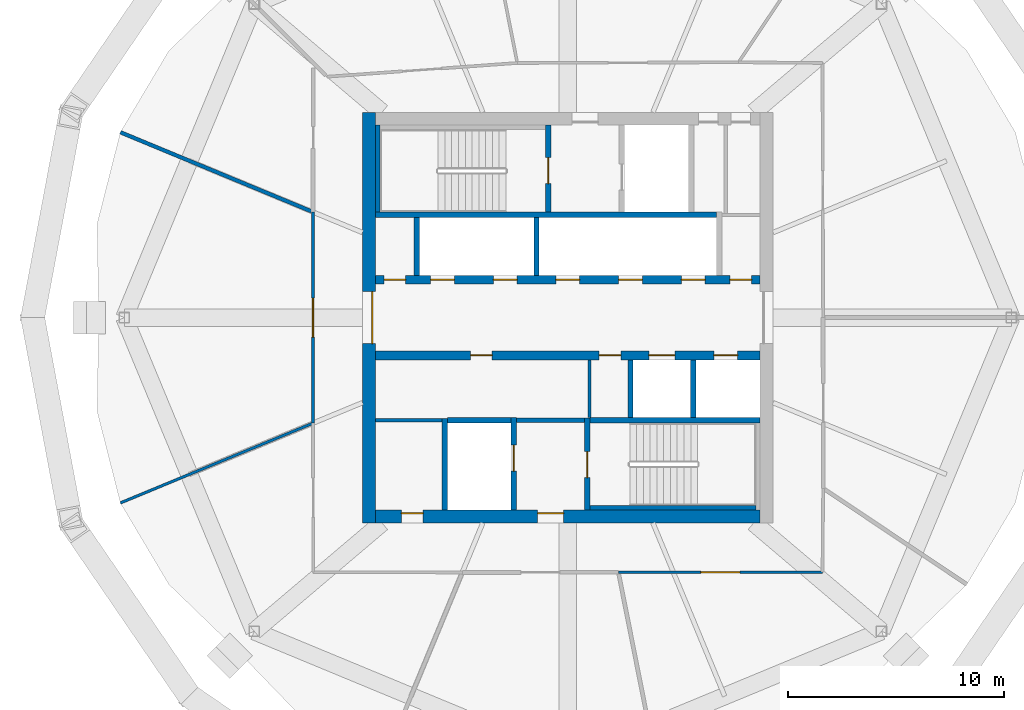
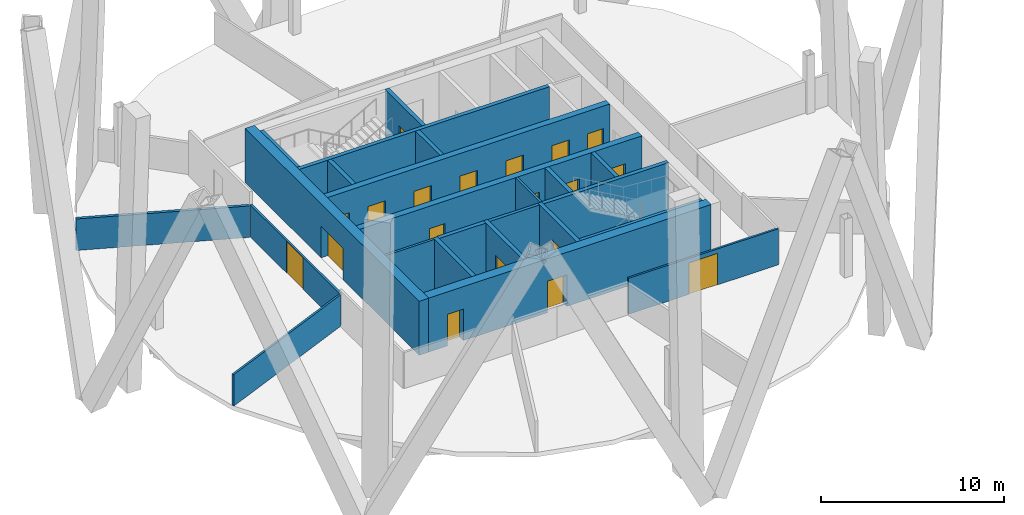
# One storey, part 4 of 10: 24 walls, 19 doors, 19 openings.
"""IFC4 building model written with IfcOpenShell, lengths in metres."""

from ifc_helpers import new_model, si_unit, direction, frame, frame_2d, origin, place, context, subcontext, project, spatial, rectangle, extrude, material, layer, layer_set, type_object, element, fill, save


model = new_model("IFC4")

# Units and contexts
model_context = context("Model", 3, precision=1e-05, world=origin(), true_north=direction((0.0, 1.0)))
body_context = subcontext(model_context, "Body", "Model", "MODEL_VIEW")
ifc_project = project(units=[si_unit("LENGTHUNIT", "METRE"), si_unit("AREAUNIT", "SQUARE_METRE"), si_unit("VOLUMEUNIT", "CUBIC_METRE"), si_unit("PLANEANGLEUNIT", "RADIAN"), si_unit("MASSUNIT", "GRAM", prefix="KILO")], contexts=[model_context])

# Site, building, storey
site_placement = place(None, origin())
site = spatial("IfcSite", under=ifc_project, at=site_placement, CompositionType="ELEMENT")
building_placement = place(site_placement, origin())
building = spatial("IfcBuilding", under=site, at=building_placement, Name="Ogive Gate Towers", CompositionType="ELEMENT")
storey_placement = place(building_placement, frame((0.0, 0.0, 185.10009765625)))
storey = spatial("IfcBuildingStorey", under=building, at=storey_placement, Name="L44", CompositionType="ELEMENT", Elevation=185.10009765625)

# Walls
ifc_material_1 = material(Name="Gypsum board acoustic partition")
ifc_layer_1 = layer(ifc_material_1, 0.175048828125)
ifc_layer_set_1 = layer_set([ifc_layer_1], Name="Acoustic partition 175")
wall_type_1 = type_object("IfcWallType", Name="Acoustic partition 175", PredefinedType="PARTITIONING", material=ifc_layer_set_1)
wall_1_placement = place(storey_placement, frame((-56.7041015625, 8.575927734375, 0.0), z_axis=(0.0, 0.0, 1.0), x_axis=(0.923880210616, -0.382681795271, 0.0)))
element("IfcWall", 1, at=wall_1_placement, inside=storey, type_object=wall_type_1, Name="Partition T1-L44-005", PredefinedType="PARTITIONING", context=body_context, shape_type="SweptSolid", body=[
    extrude(rectangle(XDim=9.561279296875, YDim=0.175048828125, at=frame_2d((4.78076171875, 0.0))), origin(), (0.0, 0.0, 1.0), 2.099853515625),
])
ifc_material_2 = material(Name="Masonry blockwork", Category="masonry")
ifc_layer_2 = layer(ifc_material_2, 0.199951171875)
ifc_layer_set_2 = layer_set([ifc_layer_2], Name="Blockwork wall 200 mm")
wall_type_2 = type_object("IfcWallType", Name="Blockwork wall 200 mm", PredefinedType="PARTITIONING", material=ifc_layer_set_2)
wall_2_placement = place(storey_placement, frame((-38.375, -4.75, 0.0), z_axis=(0.0, 0.0, 1.0), x_axis=(1.0, 0.0, 0.0)))
element("IfcWall", 2, at=wall_2_placement, inside=storey, type_object=wall_type_2, Name="T1 L44 Blockwork wall 200 mm", PredefinedType="PARTITIONING", context=body_context, shape_type="SweptSolid", body=[
    extrude(rectangle(XDim=3.14990234375, YDim=0.199951171875, at=frame_2d((1.574951171875, 0.0))), origin(), (0.0, 0.0, 1.0), 3.599853515625),
])

# Wall, openings, doors
ifc_material_3 = material(Name="Concrete C60/75", Category="concrete")
ifc_layer_3 = layer(ifc_material_3, 0.60009765625)
ifc_layer_set_3 = layer_set([ifc_layer_3], Name="Core wall 600 mm")
wall_type_3 = type_object("IfcWallType", Name="Core wall 600 mm", PredefinedType="SHEAR", material=ifc_layer_set_3)
wall_3_placement = place(storey_placement, frame((-44.89990234375, -9.199951171875, 0.0), z_axis=(0.0, 0.0, 1.0), x_axis=(1.0, 0.0, 0.0)))
wall_3 = element("IfcWall", 3, at=wall_3_placement, inside=storey, type_object=wall_type_3, Name="T1 L44 Core wall 600 mm", PredefinedType="SHEAR", context=body_context, shape_type="SweptSolid", body=[
    extrude(rectangle(XDim=17.7998046875, YDim=0.60009765625, at=frame_2d((8.89990234375, 0.0))), origin(), (0.0, 0.0, 1.0), 3.599853515625),
])
opening_1_placement = place(wall_3_placement, frame((7.5, 0.0, 0.0)))
opening_1 = element("IfcOpeningElement", 4, at=opening_1_placement, cuts=wall_3, Name="Opening KD-T1-L44-19", PredefinedType="OPENING", context=body_context, shape_type="SweptSolid", body=[
    extrude(rectangle(XDim=1.199951171875, YDim=2.10009765625, at=frame_2d((0.60009765625, 1.050048828125))), frame((0.0, 0.31005859375, 0.0), z_axis=(0.0, -1.0, 0.0), x_axis=(1.0, 0.0, 0.0)), (0.0, 0.0, 1.0), 0.6201171875),
])
opening_2_placement = place(wall_3_placement, frame((1.199951171875, 0.0, 0.0)))
opening_2 = element("IfcOpeningElement", 5, at=opening_2_placement, cuts=wall_3, Name="Opening KD-T1-L44-22", PredefinedType="OPENING", context=body_context, shape_type="SweptSolid", body=[
    extrude(rectangle(XDim=1.0, YDim=2.10009765625, at=frame_2d((0.5, 1.050048828125))), frame((0.0, 0.31005859375, 0.0), z_axis=(0.0, -1.0, 0.0), x_axis=(1.0, 0.0, 0.0)), (0.0, 0.0, 1.0), 0.6201171875),
])
ifc_material_4 = material(Name="Timber door", Category="wood")
door_type_1 = type_object("IfcDoorType", Name="Accessible WC door 1000 x 2100", OperationType="NOTDEFINED", PredefinedType="DOOR", material=ifc_material_4)
door_1_placement = place(opening_2_placement, origin())
door_1 = element("IfcDoor", 6, at=door_1_placement, inside=storey, type_object=door_type_1, Name="T1 L44 Core door", OperationType="SINGLE_SWING_LEFT", OverallHeight=2.10009765625, OverallWidth=1.0, PredefinedType="DOOR", context=body_context, shape_type="SweptSolid", body=[
    extrude(rectangle(XDim=1.0, YDim=2.10009765625, at=frame_2d((0.5, 1.050048828125))), frame((0.0, 0.1748046875, 0.0), z_axis=(0.0, -1.0, 0.0), x_axis=(1.0, 0.0, 0.0)), (0.0, 0.0, 1.0), 0.050048828125),
])
fill(opening_2, door_1)
ifc_material_5 = material(Name="Steel fire door", Category="steel")
door_type_2 = type_object("IfcDoorType", Name="Core door FD60S 1200 x 2100", OperationType="NOTDEFINED", PredefinedType="DOOR", material=ifc_material_5)
door_2_placement = place(opening_1_placement, origin())
door_2 = element("IfcDoor", 7, at=door_2_placement, inside=storey, type_object=door_type_2, Name="T1 L44 Fire-fighting lobby door", OperationType="SINGLE_SWING_RIGHT", OverallHeight=2.10009765625, OverallWidth=1.199951171875, PredefinedType="DOOR", context=body_context, shape_type="SweptSolid", body=[
    extrude(rectangle(XDim=1.199951171875, YDim=2.10009765625, at=frame_2d((0.60009765625, 1.050048828125))), frame((0.0, 0.1748046875, 0.0), z_axis=(0.0, -1.0, 0.0), x_axis=(1.0, 0.0, 0.0)), (0.0, 0.0, 1.0), 0.050048828125),
])
fill(opening_1, door_2)

# Wall, opening, door
wall_4_placement = place(storey_placement, frame((-45.199951171875, -9.5, 0.0), z_axis=(0.0, 0.0, 1.0), x_axis=(0.0, 1.0, 0.0)))
wall_4 = element("IfcWall", 8, at=wall_4_placement, inside=storey, type_object=wall_type_3, Name="T1 L44 Core wall 600 mm", PredefinedType="SHEAR", context=body_context, shape_type="SweptSolid", body=[
    extrude(rectangle(XDim=19.0, YDim=0.60009765625, at=frame_2d((9.5, 0.0))), origin(), (0.0, 0.0, 1.0), 3.599853515625),
])
opening_3_placement = place(wall_4_placement, frame((8.300048828125, 0.0, 0.0)))
opening_3 = element("IfcOpeningElement", 9, at=opening_3_placement, cuts=wall_4, Name="Opening KD-T1-L44-01", PredefinedType="OPENING", context=body_context, shape_type="SweptSolid", body=[
    extrude(rectangle(XDim=2.39990234375, YDim=2.10009765625, at=frame_2d((1.199951171875, 1.050048828125))), frame((0.0, 0.31005859375, 0.0), z_axis=(0.0, -1.0, 0.0), x_axis=(1.0, 0.0, 0.0)), (0.0, 0.0, 1.0), 0.6201171875),
])
door_type_3 = type_object("IfcDoorType", Name="Core double door FD60S 2400 x 2100", OperationType="DOUBLE_DOOR_SINGLE_SWING", PredefinedType="DOOR", material=ifc_material_5)
door_3_placement = place(opening_3_placement, origin())
door_3 = element("IfcDoor", 10, at=door_3_placement, inside=storey, type_object=door_type_3, Name="T1 L44 Core door double", OperationType="DOUBLE_DOOR_SINGLE_SWING", OverallHeight=2.10009765625, OverallWidth=2.39990234375, PredefinedType="DOOR", context=body_context, shape_type="SweptSolid", body=[
    extrude(rectangle(XDim=2.39990234375, YDim=2.10009765625, at=frame_2d((1.199951171875, 1.050048828125))), frame((0.0, -0.125, 0.0), z_axis=(0.0, -1.0, 0.0), x_axis=(1.0, 0.0, 0.0)), (0.0, 0.0, 1.0), 0.050048828125),
])
fill(opening_3, door_3)

# Wall
ifc_material_6 = material(Name="Gypsum board partition")
ifc_layer_4 = layer(ifc_material_6, 0.125)
ifc_layer_set_4 = layer_set([ifc_layer_4], Name="Partition 125")
wall_type_4 = type_object("IfcWallType", Name="Partition 125", PredefinedType="PARTITIONING", material=ifc_layer_set_4)
wall_5_placement = place(storey_placement, frame((-56.7041015625, -8.575927734375, 0.0), z_axis=(0.0, 0.0, 1.0), x_axis=(0.923883362833, 0.382674185019, 0.0)))
element("IfcWall", 11, at=wall_5_placement, inside=storey, type_object=wall_type_4, Name="Partition T1-L44-006", PredefinedType="PARTITIONING", context=body_context, shape_type="SweptSolid", body=[
    extrude(rectangle(XDim=9.58642578125, YDim=0.125, at=frame_2d((4.793212890625, 0.0))), origin(), (0.0, 0.0, 1.0), 2.099853515625),
])

# Wall, opening, door
wall_6_placement = place(storey_placement, frame((-47.789794921875, 4.88330078125, 0.0), z_axis=(0.0, 0.0, 1.0), x_axis=(0.0, -1.0, 0.0)))
wall_6 = element("IfcWall", 12, at=wall_6_placement, inside=storey, type_object=wall_type_4, Name="Partition T1-L44-016", PredefinedType="PARTITIONING", context=body_context, shape_type="SweptSolid", body=[
    extrude(rectangle(XDim=9.7666015625, YDim=0.125, at=frame_2d((4.88330078125, 0.0))), origin(), (0.0, 0.0, 1.0), 2.139892578125),
])
opening_4_placement = place(wall_6_placement, frame((3.98291015625, 0.0, 0.0)))
opening_4 = element("IfcOpeningElement", 13, at=opening_4_placement, cuts=wall_6, Name="Opening T1-L44-D06", PredefinedType="OPENING", context=body_context, shape_type="SweptSolid", body=[
    extrude(rectangle(XDim=1.800048828125, YDim=2.10009765625, at=frame_2d((0.89990234375, 1.050048828125))), frame((0.0, 0.072509765625, 0.0), z_axis=(0.0, -1.0, 0.0), x_axis=(1.0, 0.0, 0.0)), (0.0, 0.0, 1.0), 0.14501953125),
])
door_type_4 = type_object("IfcDoorType", Name="Door pair 1800", OperationType="NOTDEFINED", PredefinedType="DOOR", material=ifc_material_4)
door_4_placement = place(opening_4_placement, origin())
door_4 = element("IfcDoor", 14, at=door_4_placement, inside=storey, type_object=door_type_4, Name="Door T1-L44-D06", OperationType="DOUBLE_DOOR_DOUBLE_SWING", OverallHeight=2.10009765625, OverallWidth=1.800048828125, PredefinedType="DOOR", context=body_context, shape_type="SweptSolid", body=[
    extrude(rectangle(XDim=1.800048828125, YDim=2.10009765625, at=frame_2d((0.89990234375, 1.050048828125))), frame((0.0, 0.02490234375, 0.0), z_axis=(0.0, -1.0, 0.0), x_axis=(1.0, 0.0, 0.0)), (0.0, 0.0, 1.0), 0.050048828125),
])
fill(opening_4, door_4)

wall_7_placement = place(storey_placement, frame((-33.6611328125, -11.78076171875, 0.0), z_axis=(0.0, 0.0, 1.0), x_axis=(0.999999996991, 7.7577513e-05, 0.0)))
wall_7 = element("IfcWall", 15, at=wall_7_placement, inside=storey, type_object=wall_type_4, Name="Partition T1-L44-020", PredefinedType="PARTITIONING", context=body_context, shape_type="SweptSolid", body=[
    extrude(rectangle(XDim=9.441162109375, YDim=0.125, at=frame_2d((4.720703125, 0.0))), origin(), (0.0, 0.0, 1.0), 2.39990234375),
])
opening_5_placement = place(wall_7_placement, frame((3.821044921875, 0.0, 0.0)))
opening_5 = element("IfcOpeningElement", 16, at=opening_5_placement, cuts=wall_7, Name="Opening T1-L44-D09", PredefinedType="OPENING", context=body_context, shape_type="SweptSolid", body=[
    extrude(rectangle(XDim=1.800048828125, YDim=2.10009765625, at=frame_2d((0.89990234375, 1.050048828125))), frame((0.0, 0.072509765625, 0.0), z_axis=(0.0, -1.0, 0.0), x_axis=(1.0, 0.0, 0.0)), (0.0, 0.0, 1.0), 0.14501953125),
])
door_5_placement = place(opening_5_placement, origin())
door_5 = element("IfcDoor", 17, at=door_5_placement, inside=storey, type_object=door_type_4, Name="Door T1-L44-D09", OperationType="DOUBLE_DOOR_DOUBLE_SWING", OverallHeight=2.10009765625, OverallWidth=1.800048828125, PredefinedType="DOOR", context=body_context, shape_type="SweptSolid", body=[
    extrude(rectangle(XDim=1.800048828125, YDim=2.10009765625, at=frame_2d((0.89990234375, 1.050048828125))), frame((0.0, 0.02490234375, 0.0), z_axis=(0.0, -1.0, 0.0), x_axis=(1.0, 0.0, 0.0)), (0.0, 0.0, 1.0), 0.050048828125),
])
fill(opening_5, door_5)

# Walls
ifc_layer_5 = layer(ifc_material_6, 0.14990234375)
ifc_layer_set_5 = layer_set([ifc_layer_5], Name="Room partition 150 mm")
wall_type_5 = type_object("IfcWallType", Name="Room partition 150 mm", PredefinedType="PARTITIONING", material=ifc_layer_set_5)
wall_8_placement = place(storey_placement, frame((-44.89990234375, -4.75, 0.0), z_axis=(0.0, 0.0, 1.0), x_axis=(1.0, 0.0, 0.0)))
element("IfcWall", 18, at=wall_8_placement, inside=storey, type_object=wall_type_5, Name="T1 L44 Room partition 150 mm", PredefinedType="PARTITIONING", context=body_context, shape_type="SweptSolid", body=[
    extrude(rectangle(XDim=3.074951171875, YDim=0.14990234375, at=frame_2d((1.53759765625, 0.0))), origin(), (0.0, 0.0, 1.0), 3.599853515625),
])
wall_9_placement = place(storey_placement, frame((-35.0, -4.625, 0.0), z_axis=(0.0, 0.0, 1.0), x_axis=(0.0, 1.0, 0.0)))
element("IfcWall", 19, at=wall_9_placement, inside=storey, type_object=wall_type_5, Name="T1 L44 Room partition 150 mm", PredefinedType="PARTITIONING", context=body_context, shape_type="SweptSolid", body=[
    extrude(rectangle(XDim=2.675048828125, YDim=0.14990234375, at=frame_2d((1.33740234375, 0.0))), origin(), (0.0, 0.0, 1.0), 3.599853515625),
])
ifc_layer_6 = layer(ifc_material_3, 0.25)
ifc_layer_set_6 = layer_set([ifc_layer_6], Name="Shaft wall 250 mm")
wall_type_6 = type_object("IfcWallType", Name="Shaft wall 250 mm", PredefinedType="SHEAR", material=ifc_layer_set_6)
wall_10_placement = place(storey_placement, frame((-41.574951171875, -4.75, 0.0), z_axis=(0.0, 0.0, 1.0), x_axis=(1.0, 0.0, 0.0)))
element("IfcWall", 20, at=wall_10_placement, inside=storey, type_object=wall_type_6, Name="T1 L44 Shaft wall 250 mm", PredefinedType="SHEAR", context=body_context, shape_type="SweptSolid", body=[
    extrude(rectangle(XDim=2.949951171875, YDim=0.25, at=frame_2d((1.47509765625, 0.0))), origin(), (0.0, 0.0, 1.0), 3.599853515625),
])
wall_11_placement = place(storey_placement, frame((-34.97509765625, -4.75, 0.0), z_axis=(0.0, 0.0, 1.0), x_axis=(1.0, 0.0, 0.0)))
element("IfcWall", 21, at=wall_11_placement, inside=storey, type_object=wall_type_6, Name="T1 L44 Shaft wall 250 mm", PredefinedType="SHEAR", context=body_context, shape_type="SweptSolid", body=[
    extrude(rectangle(XDim=7.875, YDim=0.25, at=frame_2d((3.9375, 0.0))), origin(), (0.0, 0.0, 1.0), 3.599853515625),
])
wall_12_placement = place(storey_placement, frame((-44.89990234375, 4.75, 0.0), z_axis=(0.0, 0.0, 1.0), x_axis=(1.0, 0.0, 0.0)))
element("IfcWall", 22, at=wall_12_placement, inside=storey, type_object=wall_type_6, Name="T1 L44 Shaft wall 250 mm", PredefinedType="SHEAR", context=body_context, shape_type="SweptSolid", body=[
    extrude(rectangle(XDim=15.77490234375, YDim=0.25, at=frame_2d((7.887451171875, 0.0))), origin(), (0.0, 0.0, 1.0), 3.599853515625),
])
wall_13_placement = place(storey_placement, frame((-43.0, 1.949951171875, 0.0), z_axis=(0.0, 0.0, 1.0), x_axis=(0.0, 1.0, 0.0)))
element("IfcWall", 23, at=wall_13_placement, inside=storey, type_object=wall_type_6, Name="T1 L44 Shaft wall 250 mm", PredefinedType="SHEAR", context=body_context, shape_type="SweptSolid", body=[
    extrude(rectangle(XDim=2.675048828125, YDim=0.25, at=frame_2d((1.33740234375, 0.0))), origin(), (0.0, 0.0, 1.0), 3.599853515625),
])
wall_14_placement = place(storey_placement, frame((-41.699951171875, -8.89990234375, 0.0), z_axis=(0.0, 0.0, 1.0), x_axis=(0.0, 1.0, 0.0)))
element("IfcWall", 24, at=wall_14_placement, inside=storey, type_object=wall_type_6, Name="T1 L44 Shaft wall 250 mm", PredefinedType="SHEAR", context=body_context, shape_type="SweptSolid", body=[
    extrude(rectangle(XDim=4.224853515625, YDim=0.25, at=frame_2d((2.1123046875, 0.0))), origin(), (0.0, 0.0, 1.0), 3.599853515625),
])

# Wall, opening, door
wall_15_placement = place(storey_placement, frame((-38.5, -8.89990234375, 0.0), z_axis=(0.0, 0.0, 1.0), x_axis=(0.0, 1.0, 0.0)))
wall_15 = element("IfcWall", 25, at=wall_15_placement, inside=storey, type_object=wall_type_6, Name="T1 L44 Shaft wall 250 mm", PredefinedType="SHEAR", context=body_context, shape_type="SweptSolid", body=[
    extrude(rectangle(XDim=4.27490234375, YDim=0.25, at=frame_2d((2.137451171875, 0.0))), origin(), (0.0, 0.0, 1.0), 3.599853515625),
])
opening_6_placement = place(wall_15_placement, frame((1.800048828125, 0.0, 0.0)))
opening_6 = element("IfcOpeningElement", 26, at=opening_6_placement, cuts=wall_15, Name="Opening LD-T1-L44-13", PredefinedType="OPENING", context=body_context, shape_type="SweptSolid", body=[
    extrude(rectangle(XDim=1.199951171875, YDim=2.10009765625, at=frame_2d((0.60009765625, 1.050048828125))), frame((0.0, 0.135009765625, 0.0), z_axis=(0.0, -1.0, 0.0), x_axis=(1.0, 0.0, 0.0)), (0.0, 0.0, 1.0), 0.27001953125),
])
ifc_material_7 = material(Name="Stainless steel landing door", Category="steel")
door_type_5 = type_object("IfcDoorType", Name="Landing door 1200 x 2100", OperationType="SLIDING_TO_LEFT", PredefinedType="DOOR", material=ifc_material_7)
door_6_placement = place(opening_6_placement, origin())
door_6 = element("IfcDoor", 27, at=door_6_placement, inside=storey, type_object=door_type_5, Name="T1 L44 Lift landing door FF2", OperationType="SLIDING_TO_LEFT", OverallHeight=2.10009765625, OverallWidth=1.199951171875, PredefinedType="DOOR", context=body_context, shape_type="SweptSolid", body=[
    extrude(rectangle(XDim=1.199951171875, YDim=2.10009765625, at=frame_2d((0.60009765625, 1.050048828125))), frame((0.0, 0.02490234375, 0.0), z_axis=(0.0, -1.0, 0.0), x_axis=(1.0, 0.0, 0.0)), (0.0, 0.0, 1.0), 0.050048828125),
])
fill(opening_6, door_6)

# Wall
wall_16_placement = place(storey_placement, frame((-37.449951171875, 1.949951171875, 0.0), z_axis=(0.0, 0.0, 1.0), x_axis=(0.0, 1.0, 0.0)))
element("IfcWall", 28, at=wall_16_placement, inside=storey, type_object=wall_type_6, Name="T1 L44 Shaft wall 250 mm", PredefinedType="SHEAR", context=body_context, shape_type="SweptSolid", body=[
    extrude(rectangle(XDim=2.675048828125, YDim=0.25, at=frame_2d((1.33740234375, 0.0))), origin(), (0.0, 0.0, 1.0), 3.599853515625),
])

# Wall, opening, door
wall_17_placement = place(storey_placement, frame((-36.89990234375, 4.875, 0.0), z_axis=(0.0, 0.0, 1.0), x_axis=(0.0, 1.0, 0.0)))
wall_17 = element("IfcWall", 29, at=wall_17_placement, inside=storey, type_object=wall_type_6, Name="T1 L44 Shaft wall 250 mm", PredefinedType="SHEAR", context=body_context, shape_type="SweptSolid", body=[
    extrude(rectangle(XDim=4.02490234375, YDim=0.25, at=frame_2d((2.012451171875, 0.0))), origin(), (0.0, 0.0, 1.0), 3.599853515625),
])
opening_7_placement = place(wall_17_placement, frame((1.324951171875, 0.0, 0.0)))
opening_7 = element("IfcOpeningElement", 30, at=opening_7_placement, cuts=wall_17, Name="Opening KD-T1-L44-16", PredefinedType="OPENING", context=body_context, shape_type="SweptSolid", body=[
    extrude(rectangle(XDim=1.199951171875, YDim=2.10009765625, at=frame_2d((0.60009765625, 1.050048828125))), frame((0.0, 0.135009765625, 0.0), z_axis=(0.0, -1.0, 0.0), x_axis=(1.0, 0.0, 0.0)), (0.0, 0.0, 1.0), 0.27001953125),
])
door_7_placement = place(opening_7_placement, origin())
door_7 = element("IfcDoor", 31, at=door_7_placement, inside=storey, type_object=door_type_2, Name="T1 L44 Stair door", OperationType="SINGLE_SWING_LEFT", OverallHeight=2.10009765625, OverallWidth=1.199951171875, PredefinedType="DOOR", context=body_context, shape_type="SweptSolid", body=[
    extrude(rectangle(XDim=1.199951171875, YDim=2.10009765625, at=frame_2d((0.60009765625, 1.050048828125))), frame((0.0, 0.02490234375, 0.0), z_axis=(0.0, -1.0, 0.0), x_axis=(1.0, 0.0, 0.0)), (0.0, 0.0, 1.0), 0.050048828125),
])
fill(opening_7, door_7)

wall_18_placement = place(storey_placement, frame((-35.10009765625, -8.89990234375, 0.0), z_axis=(0.0, 0.0, 1.0), x_axis=(0.0, 1.0, 0.0)))
wall_18 = element("IfcWall", 32, at=wall_18_placement, inside=storey, type_object=wall_type_6, Name="T1 L44 Shaft wall 250 mm", PredefinedType="SHEAR", context=body_context, shape_type="SweptSolid", body=[
    extrude(rectangle(XDim=4.25, YDim=0.25, at=frame_2d((2.125, 0.0))), origin(), (0.0, 0.0, 1.0), 3.599853515625),
])
opening_8_placement = place(wall_18_placement, frame((1.5, 0.0, 0.0)))
opening_8 = element("IfcOpeningElement", 33, at=opening_8_placement, cuts=wall_18, Name="Opening KD-T1-L44-17", PredefinedType="OPENING", context=body_context, shape_type="SweptSolid", body=[
    extrude(rectangle(XDim=1.199951171875, YDim=2.10009765625, at=frame_2d((0.60009765625, 1.050048828125))), frame((0.0, 0.135009765625, 0.0), z_axis=(0.0, -1.0, 0.0), x_axis=(1.0, 0.0, 0.0)), (0.0, 0.0, 1.0), 0.27001953125),
])
door_8_placement = place(opening_8_placement, origin())
door_8 = element("IfcDoor", 34, at=door_8_placement, inside=storey, type_object=door_type_2, Name="T1 L44 Stair door", OperationType="SINGLE_SWING_RIGHT", OverallHeight=2.10009765625, OverallWidth=1.199951171875, PredefinedType="DOOR", context=body_context, shape_type="SweptSolid", body=[
    extrude(rectangle(XDim=1.199951171875, YDim=2.10009765625, at=frame_2d((0.60009765625, 1.050048828125))), frame((0.0, 0.02490234375, 0.0), z_axis=(0.0, -1.0, 0.0), x_axis=(1.0, 0.0, 0.0)), (0.0, 0.0, 1.0), 0.050048828125),
])
fill(opening_8, door_8)

# Walls
for number, where, z_axis, x_axis, name in (
    (35, (-33.10009765625, -4.625, 0.0), (0.0, 0.0, 1.0), (0.0, 1.0, 0.0), "T1 L44 Shaft wall 250 mm"),
    (36, (-30.199951171875, -4.625, 0.0), (0.0, 0.0, 1.0), (0.0, 1.0, 0.0), "T1 L44 Shaft wall 250 mm"),
):
    element("IfcWall", number, at=place(storey_placement, frame(where, z_axis=z_axis, x_axis=x_axis)), inside=storey, type_object=wall_type_6, Name=name, PredefinedType="SHEAR", context=body_context, shape_type="SweptSolid", body=[
        extrude(rectangle(XDim=2.675048828125, YDim=0.25, at=frame_2d((1.33740234375, 0.0))), origin(), (0.0, 0.0, 1.0), 3.599853515625),
    ])

# Wall, openings, doors
ifc_layer_7 = layer(ifc_material_3, 0.39990234375)
ifc_layer_set_7 = layer_set([ifc_layer_7], Name="Spine wall 400 mm")
wall_type_7 = type_object("IfcWallType", Name="Spine wall 400 mm", PredefinedType="SHEAR", material=ifc_layer_set_7)
wall_19_placement = place(storey_placement, frame((-44.89990234375, -1.75, 0.0), z_axis=(0.0, 0.0, 1.0), x_axis=(1.0, 0.0, 0.0)))
wall_19 = element("IfcWall", 37, at=wall_19_placement, inside=storey, type_object=wall_type_7, Name="T1 L44 Spine wall 400 mm", PredefinedType="SHEAR", context=body_context, shape_type="SweptSolid", body=[
    extrude(rectangle(XDim=17.7998046875, YDim=0.39990234375, at=frame_2d((8.89990234375, 0.0))), origin(), (0.0, 0.0, 1.0), 3.599853515625),
])
opening_9_placement = place(wall_19_placement, frame((12.64990234375, 0.0, 0.0)))
opening_9 = element("IfcOpeningElement", 38, at=opening_9_placement, cuts=wall_19, Name="Opening LD-T1-L44-10", PredefinedType="OPENING", context=body_context, shape_type="SweptSolid", body=[
    extrude(rectangle(XDim=1.199951171875, YDim=2.10009765625, at=frame_2d((0.60009765625, 1.050048828125))), frame((0.0, 0.2099609375, 0.0), z_axis=(0.0, -1.0, 0.0), x_axis=(1.0, 0.0, 0.0)), (0.0, 0.0, 1.0), 0.419921875),
])
opening_10_placement = place(wall_19_placement, frame((15.64990234375, 0.0, 0.0)))
opening_10 = element("IfcOpeningElement", 39, at=opening_10_placement, cuts=wall_19, Name="Opening LD-T1-L44-11", PredefinedType="OPENING", context=body_context, shape_type="SweptSolid", body=[
    extrude(rectangle(XDim=1.10009765625, YDim=2.10009765625, at=frame_2d((0.550048828125, 1.050048828125))), frame((0.0, 0.2099609375, 0.0), z_axis=(0.0, -1.0, 0.0), x_axis=(1.0, 0.0, 0.0)), (0.0, 0.0, 1.0), 0.419921875),
])
opening_11_placement = place(wall_19_placement, frame((4.39990234375, 0.0, 0.0)))
opening_11 = element("IfcOpeningElement", 40, at=opening_11_placement, cuts=wall_19, Name="Opening KD-T1-L44-14", PredefinedType="OPENING", context=body_context, shape_type="SweptSolid", body=[
    extrude(rectangle(XDim=1.0, YDim=2.10009765625, at=frame_2d((0.5, 1.050048828125))), frame((0.0, 0.2099609375, 0.0), z_axis=(0.0, -1.0, 0.0), x_axis=(1.0, 0.0, 0.0)), (0.0, 0.0, 1.0), 0.419921875),
])
opening_12_placement = place(wall_19_placement, frame((10.35009765625, 0.0, 0.0)))
opening_12 = element("IfcOpeningElement", 41, at=opening_12_placement, cuts=wall_19, Name="Opening KD-T1-L44-15", PredefinedType="OPENING", context=body_context, shape_type="SweptSolid", body=[
    extrude(rectangle(XDim=1.0, YDim=2.10009765625, at=frame_2d((0.5, 1.050048828125))), frame((0.0, 0.2099609375, 0.0), z_axis=(0.0, -1.0, 0.0), x_axis=(1.0, 0.0, 0.0)), (0.0, 0.0, 1.0), 0.419921875),
])
door_type_6 = type_object("IfcDoorType", Name="Core door FD60S 1000 x 2100", OperationType="NOTDEFINED", PredefinedType="DOOR", material=ifc_material_5)
door_9_placement = place(opening_11_placement, origin())
door_9 = element("IfcDoor", 42, at=door_9_placement, inside=storey, type_object=door_type_6, Name="T1 L44 Core door", OperationType="SINGLE_SWING_LEFT", OverallHeight=2.10009765625, OverallWidth=1.0, PredefinedType="DOOR", context=body_context, shape_type="SweptSolid", body=[
    extrude(rectangle(XDim=1.0, YDim=2.10009765625, at=frame_2d((0.5, 1.050048828125))), frame((0.0, 0.02490234375, 0.0), z_axis=(0.0, -1.0, 0.0), x_axis=(1.0, 0.0, 0.0)), (0.0, 0.0, 1.0), 0.050048828125),
])
fill(opening_11, door_9)
door_10_placement = place(opening_12_placement, origin())
door_10 = element("IfcDoor", 43, at=door_10_placement, inside=storey, type_object=door_type_6, Name="T1 L44 Core door", OperationType="SINGLE_SWING_RIGHT", OverallHeight=2.10009765625, OverallWidth=1.0, PredefinedType="DOOR", context=body_context, shape_type="SweptSolid", body=[
    extrude(rectangle(XDim=1.0, YDim=2.10009765625, at=frame_2d((0.5, 1.050048828125))), frame((0.0, 0.02490234375, 0.0), z_axis=(0.0, -1.0, 0.0), x_axis=(1.0, 0.0, 0.0)), (0.0, 0.0, 1.0), 0.050048828125),
])
fill(opening_12, door_10)
door_type_7 = type_object("IfcDoorType", Name="Landing door 1100 x 2100", OperationType="SLIDING_TO_LEFT", PredefinedType="DOOR", material=ifc_material_7)
door_11_placement = place(opening_10_placement, origin())
door_11 = element("IfcDoor", 44, at=door_11_placement, inside=storey, type_object=door_type_7, Name="T1 L44 Lift landing door B6", OperationType="SLIDING_TO_LEFT", OverallHeight=2.10009765625, OverallWidth=1.10009765625, PredefinedType="DOOR", context=body_context, shape_type="SweptSolid", body=[
    extrude(rectangle(XDim=1.10009765625, YDim=2.10009765625, at=frame_2d((0.550048828125, 1.050048828125))), frame((0.0, 0.02490234375, 0.0), z_axis=(0.0, -1.0, 0.0), x_axis=(1.0, 0.0, 0.0)), (0.0, 0.0, 1.0), 0.050048828125),
])
fill(opening_10, door_11)
door_12_placement = place(opening_9_placement, origin())
door_12 = element("IfcDoor", 45, at=door_12_placement, inside=storey, type_object=door_type_5, Name="T1 L44 Lift landing door SVC", OperationType="SLIDING_TO_LEFT", OverallHeight=2.10009765625, OverallWidth=1.199951171875, PredefinedType="DOOR", context=body_context, shape_type="SweptSolid", body=[
    extrude(rectangle(XDim=1.199951171875, YDim=2.10009765625, at=frame_2d((0.60009765625, 1.050048828125))), frame((0.0, 0.02490234375, 0.0), z_axis=(0.0, -1.0, 0.0), x_axis=(1.0, 0.0, 0.0)), (0.0, 0.0, 1.0), 0.050048828125),
])
fill(opening_9, door_12)

wall_20_placement = place(storey_placement, frame((-44.89990234375, 1.75, 0.0), z_axis=(0.0, 0.0, 1.0), x_axis=(1.0, 0.0, 0.0)))
wall_20 = element("IfcWall", 46, at=wall_20_placement, inside=storey, type_object=wall_type_7, Name="T1 L44 Spine wall 400 mm", PredefinedType="SHEAR", context=body_context, shape_type="SweptSolid", body=[
    extrude(rectangle(XDim=17.7998046875, YDim=0.39990234375, at=frame_2d((8.89990234375, 0.0))), origin(), (0.0, 0.0, 1.0), 3.599853515625),
])
opening_13_placement = place(wall_20_placement, frame((0.39990234375, 0.0, 0.0)))
opening_13 = element("IfcOpeningElement", 47, at=opening_13_placement, cuts=wall_20, Name="Opening KD-T1-L44-03", PredefinedType="OPENING", context=body_context, shape_type="SweptSolid", body=[
    extrude(rectangle(XDim=1.0, YDim=2.10009765625, at=frame_2d((0.5, 1.050048828125))), frame((0.0, 0.2099609375, 0.0), z_axis=(0.0, -1.0, 0.0), x_axis=(1.0, 0.0, 0.0)), (0.0, 0.0, 1.0), 0.419921875),
])
opening_14_placement = place(wall_20_placement, frame((2.550048828125, 0.0, 0.0)))
opening_14 = element("IfcOpeningElement", 48, at=opening_14_placement, cuts=wall_20, Name="Opening LD-T1-L44-04", PredefinedType="OPENING", context=body_context, shape_type="SweptSolid", body=[
    extrude(rectangle(XDim=1.10009765625, YDim=2.10009765625, at=frame_2d((0.550048828125, 1.050048828125))), frame((0.0, 0.2099609375, 0.0), z_axis=(0.0, -1.0, 0.0), x_axis=(1.0, 0.0, 0.0)), (0.0, 0.0, 1.0), 0.419921875),
])
opening_15_placement = place(wall_20_placement, frame((5.449951171875, 0.0, 0.0)))
opening_15 = element("IfcOpeningElement", 49, at=opening_15_placement, cuts=wall_20, Name="Opening LD-T1-L44-05", PredefinedType="OPENING", context=body_context, shape_type="SweptSolid", body=[
    extrude(rectangle(XDim=1.10009765625, YDim=2.10009765625, at=frame_2d((0.550048828125, 1.050048828125))), frame((0.0, 0.2099609375, 0.0), z_axis=(0.0, -1.0, 0.0), x_axis=(1.0, 0.0, 0.0)), (0.0, 0.0, 1.0), 0.419921875),
])
opening_16_placement = place(wall_20_placement, frame((8.35009765625, 0.0, 0.0)))
opening_16 = element("IfcOpeningElement", 50, at=opening_16_placement, cuts=wall_20, Name="Opening LD-T1-L44-06", PredefinedType="OPENING", context=body_context, shape_type="SweptSolid", body=[
    extrude(rectangle(XDim=1.10009765625, YDim=2.10009765625, at=frame_2d((0.550048828125, 1.050048828125))), frame((0.0, 0.2099609375, 0.0), z_axis=(0.0, -1.0, 0.0), x_axis=(1.0, 0.0, 0.0)), (0.0, 0.0, 1.0), 0.419921875),
])
opening_17_placement = place(wall_20_placement, frame((11.25, 0.0, 0.0)))
opening_17 = element("IfcOpeningElement", 51, at=opening_17_placement, cuts=wall_20, Name="Opening LD-T1-L44-07", PredefinedType="OPENING", context=body_context, shape_type="SweptSolid", body=[
    extrude(rectangle(XDim=1.10009765625, YDim=2.10009765625, at=frame_2d((0.550048828125, 1.050048828125))), frame((0.0, 0.2099609375, 0.0), z_axis=(0.0, -1.0, 0.0), x_axis=(1.0, 0.0, 0.0)), (0.0, 0.0, 1.0), 0.419921875),
])
opening_18_placement = place(wall_20_placement, frame((14.14990234375, 0.0, 0.0)))
opening_18 = element("IfcOpeningElement", 52, at=opening_18_placement, cuts=wall_20, Name="Opening LD-T1-L44-08", PredefinedType="OPENING", context=body_context, shape_type="SweptSolid", body=[
    extrude(rectangle(XDim=1.10009765625, YDim=2.10009765625, at=frame_2d((0.550048828125, 1.050048828125))), frame((0.0, 0.2099609375, 0.0), z_axis=(0.0, -1.0, 0.0), x_axis=(1.0, 0.0, 0.0)), (0.0, 0.0, 1.0), 0.419921875),
])
opening_19_placement = place(wall_20_placement, frame((16.39990234375, 0.0, 0.0)))
opening_19 = element("IfcOpeningElement", 53, at=opening_19_placement, cuts=wall_20, Name="Opening KD-T1-L44-09", PredefinedType="OPENING", context=body_context, shape_type="SweptSolid", body=[
    extrude(rectangle(XDim=1.0, YDim=2.10009765625, at=frame_2d((0.5, 1.050048828125))), frame((0.0, 0.2099609375, 0.0), z_axis=(0.0, -1.0, 0.0), x_axis=(1.0, 0.0, 0.0)), (0.0, 0.0, 1.0), 0.419921875),
])
door_13_placement = place(opening_13_placement, origin())
door_13 = element("IfcDoor", 54, at=door_13_placement, inside=storey, type_object=door_type_6, Name="T1 L44 Core door", OperationType="SINGLE_SWING_RIGHT", OverallHeight=2.10009765625, OverallWidth=1.0, PredefinedType="DOOR", context=body_context, shape_type="SweptSolid", body=[
    extrude(rectangle(XDim=1.0, YDim=2.10009765625, at=frame_2d((0.5, 1.050048828125))), frame((0.0, 0.02490234375, 0.0), z_axis=(0.0, -1.0, 0.0), x_axis=(1.0, 0.0, 0.0)), (0.0, 0.0, 1.0), 0.050048828125),
])
fill(opening_13, door_13)
door_14_placement = place(opening_19_placement, origin())
door_14 = element("IfcDoor", 55, at=door_14_placement, inside=storey, type_object=door_type_6, Name="T1 L44 Core door", OperationType="SINGLE_SWING_RIGHT", OverallHeight=2.10009765625, OverallWidth=1.0, PredefinedType="DOOR", context=body_context, shape_type="SweptSolid", body=[
    extrude(rectangle(XDim=1.0, YDim=2.10009765625, at=frame_2d((0.5, 1.050048828125))), frame((0.0, 0.02490234375, 0.0), z_axis=(0.0, -1.0, 0.0), x_axis=(1.0, 0.0, 0.0)), (0.0, 0.0, 1.0), 0.050048828125),
])
fill(opening_19, door_14)
door_15_placement = place(opening_14_placement, origin())
door_15 = element("IfcDoor", 56, at=door_15_placement, inside=storey, type_object=door_type_7, Name="T1 L44 Lift landing door B1", OperationType="SLIDING_TO_LEFT", OverallHeight=2.10009765625, OverallWidth=1.10009765625, PredefinedType="DOOR", context=body_context, shape_type="SweptSolid", body=[
    extrude(rectangle(XDim=1.10009765625, YDim=2.10009765625, at=frame_2d((0.550048828125, 1.050048828125))), frame((0.0, 0.02490234375, 0.0), z_axis=(0.0, -1.0, 0.0), x_axis=(1.0, 0.0, 0.0)), (0.0, 0.0, 1.0), 0.050048828125),
])
fill(opening_14, door_15)
door_16_placement = place(opening_15_placement, origin())
door_16 = element("IfcDoor", 57, at=door_16_placement, inside=storey, type_object=door_type_7, Name="T1 L44 Lift landing door B2", OperationType="SLIDING_TO_LEFT", OverallHeight=2.10009765625, OverallWidth=1.10009765625, PredefinedType="DOOR", context=body_context, shape_type="SweptSolid", body=[
    extrude(rectangle(XDim=1.10009765625, YDim=2.10009765625, at=frame_2d((0.550048828125, 1.050048828125))), frame((0.0, 0.02490234375, 0.0), z_axis=(0.0, -1.0, 0.0), x_axis=(1.0, 0.0, 0.0)), (0.0, 0.0, 1.0), 0.050048828125),
])
fill(opening_15, door_16)
door_17_placement = place(opening_16_placement, origin())
door_17 = element("IfcDoor", 58, at=door_17_placement, inside=storey, type_object=door_type_7, Name="T1 L44 Lift landing door B3", OperationType="SLIDING_TO_LEFT", OverallHeight=2.10009765625, OverallWidth=1.10009765625, PredefinedType="DOOR", context=body_context, shape_type="SweptSolid", body=[
    extrude(rectangle(XDim=1.10009765625, YDim=2.10009765625, at=frame_2d((0.550048828125, 1.050048828125))), frame((0.0, 0.02490234375, 0.0), z_axis=(0.0, -1.0, 0.0), x_axis=(1.0, 0.0, 0.0)), (0.0, 0.0, 1.0), 0.050048828125),
])
fill(opening_16, door_17)
door_18_placement = place(opening_17_placement, origin())
door_18 = element("IfcDoor", 59, at=door_18_placement, inside=storey, type_object=door_type_7, Name="T1 L44 Lift landing door B4", OperationType="SLIDING_TO_LEFT", OverallHeight=2.10009765625, OverallWidth=1.10009765625, PredefinedType="DOOR", context=body_context, shape_type="SweptSolid", body=[
    extrude(rectangle(XDim=1.10009765625, YDim=2.10009765625, at=frame_2d((0.550048828125, 1.050048828125))), frame((0.0, 0.02490234375, 0.0), z_axis=(0.0, -1.0, 0.0), x_axis=(1.0, 0.0, 0.0)), (0.0, 0.0, 1.0), 0.050048828125),
])
fill(opening_17, door_18)
door_19_placement = place(opening_18_placement, origin())
door_19 = element("IfcDoor", 60, at=door_19_placement, inside=storey, type_object=door_type_7, Name="T1 L44 Lift landing door B5", OperationType="SLIDING_TO_LEFT", OverallHeight=2.10009765625, OverallWidth=1.10009765625, PredefinedType="DOOR", context=body_context, shape_type="SweptSolid", body=[
    extrude(rectangle(XDim=1.10009765625, YDim=2.10009765625, at=frame_2d((0.550048828125, 1.050048828125))), frame((0.0, 0.02490234375, 0.0), z_axis=(0.0, -1.0, 0.0), x_axis=(1.0, 0.0, 0.0)), (0.0, 0.0, 1.0), 0.050048828125),
])
fill(opening_18, door_19)

# Walls
ifc_layer_8 = layer(ifc_material_3, 0.199951171875)
ifc_layer_set_8 = layer_set([ifc_layer_8], Name="Stair wall 200 mm")
wall_type_8 = type_object("IfcWallType", Name="Stair wall 200 mm", PredefinedType="SHEAR", material=ifc_layer_set_8)
wall_21_placement = place(storey_placement, frame((-34.97509765625, -8.800048828125, 0.0), z_axis=(0.0, 0.0, 1.0), x_axis=(1.0, 0.0, 0.0)))
element("IfcWall", 61, at=wall_21_placement, inside=storey, type_object=wall_type_8, Name="T1 L44 Stair wall 200 mm", PredefinedType="SHEAR", context=body_context, shape_type="SweptSolid", body=[
    extrude(rectangle(XDim=7.675048828125, YDim=0.199951171875, at=frame_2d((3.83740234375, 0.0))), origin(), (0.0, 0.0, 1.0), 3.599853515625),
])
wall_22_placement = place(storey_placement, frame((-44.800048828125, 4.875, 0.0), z_axis=(0.0, 0.0, 1.0), x_axis=(0.0, 1.0, 0.0)))
element("IfcWall", 62, at=wall_22_placement, inside=storey, type_object=wall_type_8, Name="T1 L44 Stair wall 200 mm", PredefinedType="SHEAR", context=body_context, shape_type="SweptSolid", body=[
    extrude(rectangle(XDim=4.02490234375, YDim=0.199951171875, at=frame_2d((2.012451171875, 0.0))), origin(), (0.0, 0.0, 1.0), 3.599853515625),
])

save(model, "model.ifc")
